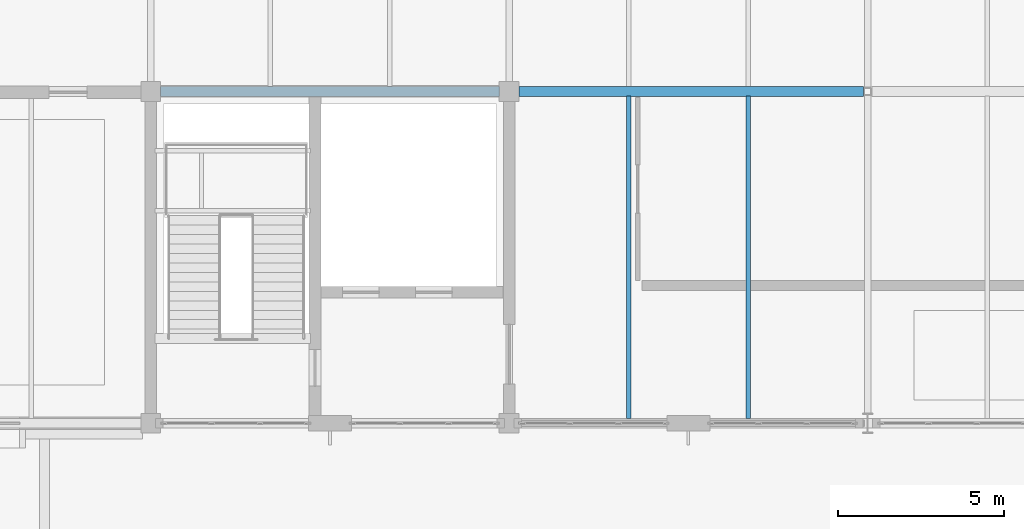
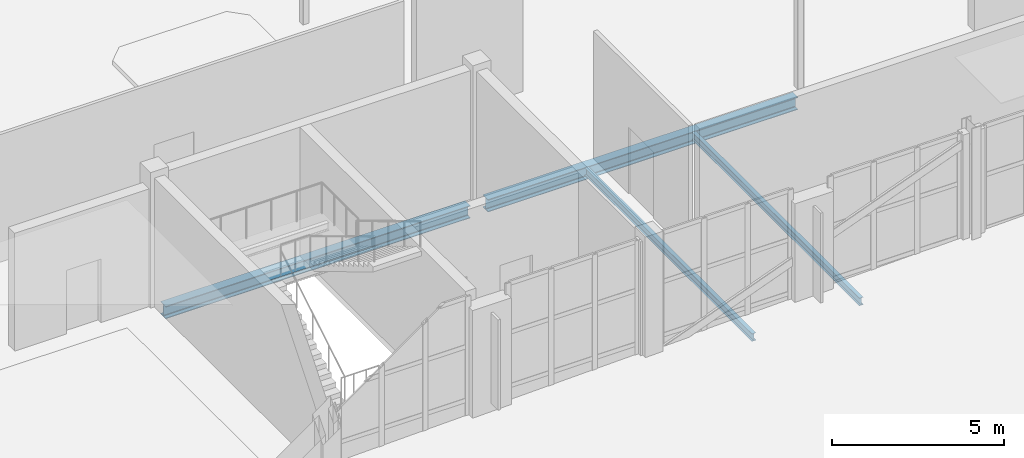
# One storey, part 18 of 86: 4 beams.
"""IFC4 building model written with IfcOpenShell, lengths in metres."""

from ifc_helpers import new_model, si_unit, direction, frame, origin, origin_2d, place, context, subcontext, project, spatial, i_section, extrude, material, material_profile, profile_set, type_object, element, save


model = new_model("IFC4")

# Units and contexts
model_context = context("Model", 3, precision=1e-05, world=origin(), true_north=direction((0.0, 1.0)))
body_context = subcontext(model_context, "Body", "Model", "MODEL_VIEW")
ifc_project = project(units=[si_unit("LENGTHUNIT", "METRE"), si_unit("AREAUNIT", "SQUARE_METRE"), si_unit("VOLUMEUNIT", "CUBIC_METRE"), si_unit("PLANEANGLEUNIT", "RADIAN"), si_unit("MASSUNIT", "GRAM", prefix="KILO")], contexts=[model_context])

# Site, building, storey
site_placement = place(None, origin())
site = spatial("IfcSite", under=ifc_project, at=site_placement, CompositionType="ELEMENT")
building_placement = place(site_placement, origin())
building = spatial("IfcBuilding", under=site, at=building_placement, Name="Tasgan Crest Museum", CompositionType="ELEMENT")
storey_placement = place(building_placement, frame((0.0, 0.0, 24.0)))
storey = spatial("IfcBuildingStorey", under=building, at=storey_placement, Name="L04", CompositionType="ELEMENT", Elevation=24.0)

# Beams
ifc_material_1 = material(Name="Steel S355J2", Category="steel")
ifc_material_profile_1 = material_profile(ifc_material_1, i_section(OverallWidth=0.300048828125, OverallDepth=0.43994140625, WebThickness=0.011474609375, FlangeThickness=0.02099609375, FilletRadius=0.027099609375, at=origin_2d()), Name="HEA 450")
ifc_profile_set_1 = profile_set([ifc_material_profile_1], Name="Steel S355J2")
beam_type_1 = type_object("IfcBeamType", Name="BM-G-HEA450", PredefinedType="BEAM", material=ifc_profile_set_1)
beam_1_placement = place(storey_placement, frame((11.095947265625, 92.0, -0.4599609375), z_axis=(1.0, 0.0, 0.0), x_axis=(0.0, 1.0, 0.0)))
element("IfcBeam", 1, at=beam_1_placement, inside=storey, type_object=beam_type_1, Name="Girder L04 K 10.8-21.6", PredefinedType="BEAM", context=body_context, shape_type="SweptSolid", body=[
    extrude(i_section(OverallWidth=0.300048828125, OverallDepth=0.43994140625, WebThickness=0.011474609375, FlangeThickness=0.02099609375, FilletRadius=0.027099609375, at=origin_2d()), origin(), (0.0, 0.0, 1.0), 10.2080078125),
])
beam_2_placement = place(storey_placement, frame((21.89599609375, 92.0, -0.4599609375), z_axis=(1.0, 0.0, 0.0), x_axis=(0.0, 1.0, 0.0)))
element("IfcBeam", 2, at=beam_2_placement, inside=storey, type_object=beam_type_1, Name="Girder L04 K 21.6-32.4", PredefinedType="BEAM", context=body_context, shape_type="SweptSolid", body=[
    extrude(i_section(OverallWidth=0.300048828125, OverallDepth=0.43994140625, WebThickness=0.011474609375, FlangeThickness=0.02099609375, FilletRadius=0.027099609375, at=origin_2d()), origin(), (0.0, 0.0, 1.0), 10.3779296875),
])
ifc_material_2 = material(Name="Steel S355J2", Category="steel")
ifc_material_profile_2 = material_profile(ifc_material_2, i_section(OverallWidth=0.135009765625, OverallDepth=0.27001953125, WebThickness=0.006591796875, FlangeThickness=0.01025390625, FilletRadius=0.014892578125, at=origin_2d()), Name="IPE 270")
ifc_profile_set_2 = profile_set([ifc_material_profile_2], Name="Steel S355J2")
beam_type_2 = type_object("IfcBeamType", Name="BM-J-IPE270", PredefinedType="JOIST", material=ifc_profile_set_2)
for number, where, z_axis, x_axis, name in (
    (3, (25.199951171875, 82.14501953125, -0.375), (0.0, 1.0, 0.0), (-1.0, 0.0, 0.0), "Secondary joist L04 X=25.2 Y=82.0-92.0"),
    (4, (28.800048828125, 82.14501953125, -0.375), (0.0, 1.0, 0.0), (-1.0, 0.0, 0.0), "Secondary joist L04 X=28.8 Y=82.0-92.0"),
):
    element("IfcBeam", number, at=place(storey_placement, frame(where, z_axis=z_axis, x_axis=x_axis)), inside=storey, type_object=beam_type_2, Name=name, PredefinedType="JOIST", context=body_context, shape_type="SweptSolid", body=[
        extrude(i_section(OverallWidth=0.135009765625, OverallDepth=0.27001953125, WebThickness=0.006591796875, FlangeThickness=0.01025390625, FilletRadius=0.014892578125, at=origin_2d()), origin(), (0.0, 0.0, 1.0), 9.7099609375),
    ])

save(model, "model.ifc")
